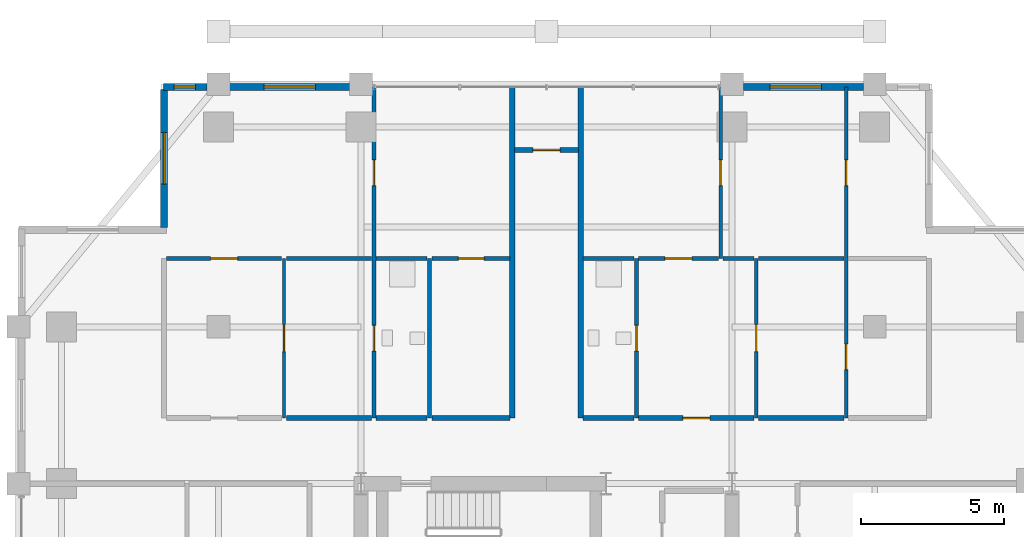
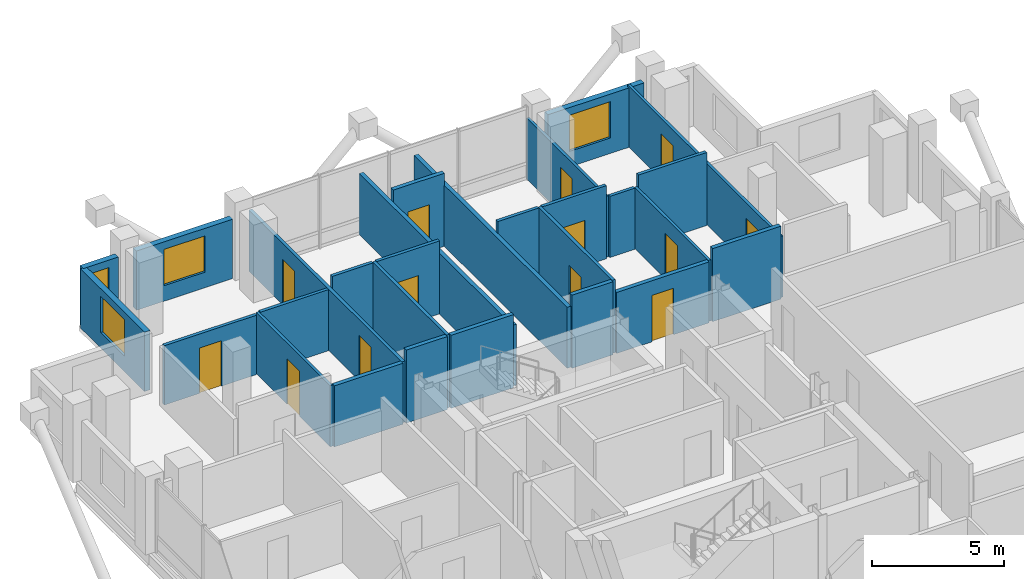
# One storey, part 21 of 24: 28 walls, 13 doors, 4 windows, 17 openings.
"""IFC4 building model written with IfcOpenShell, lengths in metres."""

from ifc_helpers import new_model, si_unit, direction, frame, frame_2d, origin, place, context, subcontext, project, spatial, rectangle, extrude, material, layer, layer_set, type_object, element, fill, save


model = new_model("IFC4")

# Units and contexts
model_context = context("Model", 3, precision=1e-05, world=origin(), true_north=direction((0.0, 1.0)))
body_context = subcontext(model_context, "Body", "Model", "MODEL_VIEW")
ifc_project = project(units=[si_unit("LENGTHUNIT", "METRE"), si_unit("AREAUNIT", "SQUARE_METRE"), si_unit("VOLUMEUNIT", "CUBIC_METRE"), si_unit("PLANEANGLEUNIT", "RADIAN"), si_unit("MASSUNIT", "GRAM", prefix="KILO")], contexts=[model_context])

# Site, building, storey
site_placement = place(None, origin())
site = spatial("IfcSite", under=ifc_project, at=site_placement, CompositionType="ELEMENT")
building_placement = place(site_placement, origin())
building = spatial("IfcBuilding", under=site, at=building_placement, Name="Barlavira Tower and Art Museum", CompositionType="ELEMENT")
storey_placement = place(building_placement, frame((0.0, 0.0, 183.60009765625)))
storey = spatial("IfcBuildingStorey", under=building, at=storey_placement, Name="L47", CompositionType="ELEMENT", Elevation=183.60009765625)

# Wall, opening, door
ifc_material_1 = material(Name="Gypsum acoustic stud partition", Category="gypsum")
ifc_layer_1 = layer(ifc_material_1, 0.1201171875, Name="Gypsum acoustic stud partition")
ifc_layer_set_1 = layer_set([ifc_layer_1], Name="Gypsum acoustic stud partition")
wall_type_1 = type_object("IfcWallType", Name="Apartment Internal Acoustic Partition 120", PredefinedType="PARTITIONING", material=ifc_layer_set_1)
wall_1_placement = place(storey_placement, frame((-9.199951171875, 9.800048828125, 0.0), z_axis=(0.0, 0.0, 1.0), x_axis=(0.0, 1.0, 0.0)))
wall_1 = element("IfcWall", 1, at=wall_1_placement, inside=storey, type_object=wall_type_1, Name="L47 Partition Wall 3", PredefinedType="PARTITIONING", context=body_context, shape_type="SweptSolid", body=[
    extrude(rectangle(XDim=5.599853515625, YDim=0.1201171875, at=frame_2d((2.7998046875, 0.0))), origin(), (0.0, 0.0, 1.0), 2.825927734375),
])
opening_1_placement = place(wall_1_placement, frame((2.324951171875, 0.0, 0.0)))
opening_1 = element("IfcOpeningElement", 2, at=opening_1_placement, cuts=wall_1, Name="Opening D-02", PredefinedType="OPENING", context=body_context, shape_type="SweptSolid", body=[
    extrude(rectangle(XDim=0.949951171875, YDim=2.10009765625, at=frame_2d((0.47509765625, 1.050048828125))), frame((0.0, 0.070068359375, 0.0), z_axis=(0.0, -1.0, 0.0), x_axis=(1.0, 0.0, 0.0)), (0.0, 0.0, 1.0), 0.14013671875),
])
ifc_material_2 = material(Name="Engineered coastal hardwood", Category="wood")
door_type_1 = type_object("IfcDoorType", Name="Living and Salon Glazed-Leaf Door 950x2100", OperationType="NOTDEFINED", PredefinedType="DOOR", material=ifc_material_2)
door_1_placement = place(opening_1_placement, origin())
door_1 = element("IfcDoor", 3, at=door_1_placement, inside=storey, type_object=door_type_1, Name="Apartment NW1 Kitchen Door", OperationType="SINGLE_SWING_RIGHT", OverallHeight=2.10009765625, OverallWidth=0.949951171875, PredefinedType="DOOR", context=body_context, shape_type="SweptSolid", body=[
    extrude(rectangle(XDim=0.949951171875, YDim=2.10009765625, at=frame_2d((0.47509765625, 1.050048828125))), frame((0.0, 0.02490234375, 0.0), z_axis=(0.0, -1.0, 0.0), x_axis=(1.0, 0.0, 0.0)), (0.0, 0.0, 1.0), 0.050048828125),
])
fill(opening_1, door_1)

wall_2_placement = place(storey_placement, frame((6.10009765625, 15.39990234375, 0.0), z_axis=(0.0, 0.0, 1.0), x_axis=(0.0, 1.0, 0.0)))
wall_2 = element("IfcWall", 4, at=wall_2_placement, inside=storey, type_object=wall_type_1, Name="L47 Partition Wall 19", PredefinedType="PARTITIONING", context=body_context, shape_type="SweptSolid", body=[
    extrude(rectangle(XDim=6.0, YDim=0.1201171875, at=frame_2d((3.0, 0.0))), origin(), (0.0, 0.0, 1.0), 2.825927734375),
])
opening_2_placement = place(wall_2_placement, frame((2.550048828125, 0.0, 0.0)))
opening_2 = element("IfcOpeningElement", 5, at=opening_2_placement, cuts=wall_2, Name="Opening D-01", PredefinedType="OPENING", context=body_context, shape_type="SweptSolid", body=[
    extrude(rectangle(XDim=0.89990234375, YDim=2.10009765625, at=frame_2d((0.449951171875, 1.050048828125))), frame((0.0, 0.070068359375, 0.0), z_axis=(0.0, -1.0, 0.0), x_axis=(1.0, 0.0, 0.0)), (0.0, 0.0, 1.0), 0.14013671875),
])
door_type_2 = type_object("IfcDoorType", Name="Internal Bedroom Timber Flush Door 900x2100", OperationType="NOTDEFINED", PredefinedType="DOOR", material=ifc_material_2)
door_2_placement = place(opening_2_placement, origin())
door_2 = element("IfcDoor", 6, at=door_2_placement, inside=storey, type_object=door_type_2, Name="Apartment NE1 Bedroom 1 Door", OperationType="SINGLE_SWING_RIGHT", OverallHeight=2.10009765625, OverallWidth=0.89990234375, PredefinedType="DOOR", context=body_context, shape_type="SweptSolid", body=[
    extrude(rectangle(XDim=0.89990234375, YDim=2.10009765625, at=frame_2d((0.449951171875, 1.050048828125))), frame((0.0, 0.02490234375, 0.0), z_axis=(0.0, -1.0, 0.0), x_axis=(1.0, 0.0, 0.0)), (0.0, 0.0, 1.0), 0.050048828125),
])
fill(opening_2, door_2)

wall_3_placement = place(storey_placement, frame((7.35009765625, 9.800048828125, 0.0), z_axis=(0.0, 0.0, 1.0), x_axis=(0.0, 1.0, 0.0)))
wall_3 = element("IfcWall", 7, at=wall_3_placement, inside=storey, type_object=wall_type_1, Name="L47 Partition Wall 21", PredefinedType="PARTITIONING", context=body_context, shape_type="SweptSolid", body=[
    extrude(rectangle(XDim=5.599853515625, YDim=0.1201171875, at=frame_2d((2.7998046875, 0.0))), origin(), (0.0, 0.0, 1.0), 2.825927734375),
])
opening_3_placement = place(wall_3_placement, frame((2.324951171875, 0.0, 0.0)))
opening_3 = element("IfcOpeningElement", 8, at=opening_3_placement, cuts=wall_3, Name="Opening D-02", PredefinedType="OPENING", context=body_context, shape_type="SweptSolid", body=[
    extrude(rectangle(XDim=0.949951171875, YDim=2.10009765625, at=frame_2d((0.47509765625, 1.050048828125))), frame((0.0, 0.070068359375, 0.0), z_axis=(0.0, -1.0, 0.0), x_axis=(1.0, 0.0, 0.0)), (0.0, 0.0, 1.0), 0.14013671875),
])
door_3_placement = place(opening_3_placement, origin())
door_3 = element("IfcDoor", 9, at=door_3_placement, inside=storey, type_object=door_type_1, Name="Apartment NE1 Kitchen Door", OperationType="SINGLE_SWING_LEFT", OverallHeight=2.10009765625, OverallWidth=0.949951171875, PredefinedType="DOOR", context=body_context, shape_type="SweptSolid", body=[
    extrude(rectangle(XDim=0.949951171875, YDim=2.10009765625, at=frame_2d((0.47509765625, 1.050048828125))), frame((0.0, 0.02490234375, 0.0), z_axis=(0.0, -1.0, 0.0), x_axis=(1.0, 0.0, 0.0)), (0.0, 0.0, 1.0), 0.050048828125),
])
fill(opening_3, door_3)

# Wall, openings, doors
wall_4_placement = place(storey_placement, frame((10.5, 9.800048828125, 0.0), z_axis=(0.0, 0.0, 1.0), x_axis=(0.0, 1.0, 0.0)))
wall_4 = element("IfcWall", 10, at=wall_4_placement, inside=storey, type_object=wall_type_1, Name="L47 Partition Wall 24", PredefinedType="PARTITIONING", context=body_context, shape_type="SweptSolid", body=[
    extrude(rectangle(XDim=11.599853515625, YDim=0.1201171875, at=frame_2d((5.7998046875, 0.0))), origin(), (0.0, 0.0, 1.0), 2.825927734375),
])
opening_4_placement = place(wall_4_placement, frame((1.694091796875, 0.0, 0.0)))
opening_4 = element("IfcOpeningElement", 11, at=opening_4_placement, cuts=wall_4, Name="Opening D-01", PredefinedType="OPENING", context=body_context, shape_type="SweptSolid", body=[
    extrude(rectangle(XDim=0.89990234375, YDim=2.10009765625, at=frame_2d((0.449951171875, 1.050048828125))), frame((0.0, 0.070068359375, 0.0), z_axis=(0.0, -1.0, 0.0), x_axis=(1.0, 0.0, 0.0)), (0.0, 0.0, 1.0), 0.14013671875),
])
opening_5_placement = place(wall_4_placement, frame((8.14990234375, 0.0, 0.0)))
opening_5 = element("IfcOpeningElement", 12, at=opening_5_placement, cuts=wall_4, Name="Opening D-01", PredefinedType="OPENING", context=body_context, shape_type="SweptSolid", body=[
    extrude(rectangle(XDim=0.89990234375, YDim=2.10009765625, at=frame_2d((0.449951171875, 1.050048828125))), frame((0.0, 0.070068359375, 0.0), z_axis=(0.0, -1.0, 0.0), x_axis=(1.0, 0.0, 0.0)), (0.0, 0.0, 1.0), 0.14013671875),
])
door_4_placement = place(opening_4_placement, origin())
door_4 = element("IfcDoor", 13, at=door_4_placement, inside=storey, type_object=door_type_2, Name="Apartment NE1 Walk-In Dressing Room Door", OperationType="SINGLE_SWING_RIGHT", OverallHeight=2.10009765625, OverallWidth=0.89990234375, PredefinedType="DOOR", context=body_context, shape_type="SweptSolid", body=[
    extrude(rectangle(XDim=0.89990234375, YDim=2.10009765625, at=frame_2d((0.449951171875, 1.050048828125))), frame((0.0, 0.02490234375, 0.0), z_axis=(0.0, -1.0, 0.0), x_axis=(1.0, 0.0, 0.0)), (0.0, 0.0, 1.0), 0.050048828125),
])
fill(opening_4, door_4)
door_5_placement = place(opening_5_placement, origin())
door_5 = element("IfcDoor", 14, at=door_5_placement, inside=storey, type_object=door_type_2, Name="Apartment NE1 Bedroom 2 Door", OperationType="SINGLE_SWING_LEFT", OverallHeight=2.10009765625, OverallWidth=0.89990234375, PredefinedType="DOOR", context=body_context, shape_type="SweptSolid", body=[
    extrude(rectangle(XDim=0.89990234375, YDim=2.10009765625, at=frame_2d((0.449951171875, 1.050048828125))), frame((0.0, 0.02490234375, 0.0), z_axis=(0.0, -1.0, 0.0), x_axis=(1.0, 0.0, 0.0)), (0.0, 0.0, 1.0), 0.050048828125),
])
fill(opening_5, door_5)

# Walls
ifc_layer_2 = layer(ifc_material_1, 0.179931640625, Name="Gypsum acoustic stud partition")
ifc_layer_set_2 = layer_set([ifc_layer_2], Name="Gypsum acoustic stud partition")
wall_type_2 = type_object("IfcWallType", Name="Inter-Tenancy Party Partition Wall 180", PredefinedType="PARTITIONING", material=ifc_layer_set_2)
for number, where, z_axis, x_axis, name in (
    (15, (-1.199951171875, 9.800048828125, 0.0), (0.0, 0.0, 1.0), (0.0, 1.0, 0.0), "L47 Partition Wall 12"),
    (16, (1.199951171875, 9.800048828125, 0.0), (0.0, 0.0, 1.0), (0.0, 1.0, 0.0), "L47 Partition Wall 14"),
):
    element("IfcWall", number, at=place(storey_placement, frame(where, z_axis=z_axis, x_axis=x_axis)), inside=storey, type_object=wall_type_2, Name=name, PredefinedType="PARTITIONING", context=body_context, shape_type="SweptSolid", body=[
        extrude(rectangle(XDim=11.599853515625, YDim=0.179931640625, at=frame_2d((5.7998046875, 0.0))), origin(), (0.0, 0.0, 1.0), 2.825927734375),
    ])
wall_5_placement = place(storey_placement, frame((-9.1201171875, 9.800048828125, 0.0), z_axis=(0.0, 0.0, 1.0), x_axis=(1.0, 0.0, 0.0)))
element("IfcWall", 17, at=wall_5_placement, inside=storey, type_object=wall_type_2, Name="L47 Partition Wall 59", PredefinedType="PARTITIONING", context=body_context, shape_type="SweptSolid", body=[
    extrude(rectangle(XDim=2.990234375, YDim=0.179931640625, at=frame_2d((1.4951171875, 0.0))), origin(), (0.0, 0.0, 1.0), 2.825927734375),
])
wall_6_placement = place(storey_placement, frame((-5.969970703125, 9.800048828125, 0.0), z_axis=(0.0, 0.0, 1.0), x_axis=(1.0, 0.0, 0.0)))
element("IfcWall", 18, at=wall_6_placement, inside=storey, type_object=wall_type_2, Name="L47 Partition Wall 60", PredefinedType="PARTITIONING", context=body_context, shape_type="SweptSolid", body=[
    extrude(rectangle(XDim=1.7900390625, YDim=0.179931640625, at=frame_2d((0.89501953125, 0.0))), origin(), (0.0, 0.0, 1.0), 3.3798828125),
])
wall_7_placement = place(storey_placement, frame((-4.02001953125, 9.800048828125, 0.0), z_axis=(0.0, 0.0, 1.0), x_axis=(1.0, 0.0, 0.0)))
element("IfcWall", 19, at=wall_7_placement, inside=storey, type_object=wall_type_2, Name="L47 Partition Wall 61", PredefinedType="PARTITIONING", context=body_context, shape_type="SweptSolid", body=[
    extrude(rectangle(XDim=2.739990234375, YDim=0.179931640625, at=frame_2d((1.3701171875, 0.0))), origin(), (0.0, 0.0, 1.0), 3.3798828125),
])
wall_8_placement = place(storey_placement, frame((1.280029296875, 9.800048828125, 0.0), z_axis=(0.0, 0.0, 1.0), x_axis=(1.0, 0.0, 0.0)))
element("IfcWall", 20, at=wall_8_placement, inside=storey, type_object=wall_type_2, Name="L47 Partition Wall 62", PredefinedType="PARTITIONING", context=body_context, shape_type="SweptSolid", body=[
    extrude(rectangle(XDim=1.7900390625, YDim=0.179931640625, at=frame_2d((0.89501953125, 0.0))), origin(), (0.0, 0.0, 1.0), 3.3798828125),
])

# Wall, opening, door
wall_9_placement = place(storey_placement, frame((3.22998046875, 9.800048828125, 0.0), z_axis=(0.0, 0.0, 1.0), x_axis=(1.0, 0.0, 0.0)))
wall_9 = element("IfcWall", 21, at=wall_9_placement, inside=storey, type_object=wall_type_2, Name="L47 Partition Wall 63", PredefinedType="PARTITIONING", context=body_context, shape_type="SweptSolid", body=[
    extrude(rectangle(XDim=4.0400390625, YDim=0.179931640625, at=frame_2d((2.02001953125, 0.0))), origin(), (0.0, 0.0, 1.0), 2.825927734375),
])
opening_6_placement = place(wall_9_placement, frame((1.544921875, 0.0, 0.0)))
opening_6 = element("IfcOpeningElement", 22, at=opening_6_placement, cuts=wall_9, Name="Opening FD-60", PredefinedType="OPENING", context=body_context, shape_type="SweptSolid", body=[
    extrude(rectangle(XDim=0.949951171875, YDim=2.14990234375, at=frame_2d((0.47509765625, 1.074951171875))), frame((0.0, 0.10009765625, 0.0), z_axis=(0.0, -1.0, 0.0), x_axis=(1.0, 0.0, 0.0)), (0.0, 0.0, 1.0), 0.199951171875),
])
ifc_material_3 = material(Name="Brushed stainless steel", Category="steel")
door_type_3 = type_object("IfcDoorType", Name="Apartment Entrance and Riser Fire Door 950x2150 FD60S", OperationType="NOTDEFINED", PredefinedType="DOOR", material=ifc_material_3)
door_6_placement = place(opening_6_placement, origin())
door_6 = element("IfcDoor", 23, at=door_6_placement, inside=storey, type_object=door_type_3, Name="Apartment Entrance Hall NE1 Door", OperationType="SINGLE_SWING_RIGHT", OverallHeight=2.14990234375, OverallWidth=0.949951171875, PredefinedType="DOOR", context=body_context, shape_type="SweptSolid", body=[
    extrude(rectangle(XDim=0.949951171875, YDim=2.14990234375, at=frame_2d((0.47509765625, 1.074951171875))), frame((0.0, 0.02490234375, 0.0), z_axis=(0.0, -1.0, 0.0), x_axis=(1.0, 0.0, 0.0)), (0.0, 0.0, 1.0), 0.050048828125),
])
fill(opening_6, door_6)

# Wall
wall_10_placement = place(storey_placement, frame((7.429931640625, 9.800048828125, 0.0), z_axis=(0.0, 0.0, 1.0), x_axis=(1.0, 0.0, 0.0)))
element("IfcWall", 24, at=wall_10_placement, inside=storey, type_object=wall_type_2, Name="L47 Partition Wall 64", PredefinedType="PARTITIONING", context=body_context, shape_type="SweptSolid", body=[
    extrude(rectangle(XDim=2.989990234375, YDim=0.179931640625, at=frame_2d((1.4951171875, 0.0))), origin(), (0.0, 0.0, 1.0), 3.3798828125),
])

# Wall, opening, door
wall_11_placement = place(storey_placement, frame((-1.1201171875, 19.199951171875, 0.0), z_axis=(0.0, 0.0, 1.0), x_axis=(1.0, 0.0, 0.0)))
wall_11 = element("IfcWall", 25, at=wall_11_placement, inside=storey, type_object=wall_type_2, Name="L47 Partition Wall 75", PredefinedType="PARTITIONING", context=body_context, shape_type="SweptSolid", body=[
    extrude(rectangle(XDim=2.240234375, YDim=0.179931640625, at=frame_2d((1.1201171875, 0.0))), origin(), (0.0, 0.0, 1.0), 3.3798828125),
])
opening_7_placement = place(wall_11_placement, frame((0.64501953125, 0.0, 0.0)))
opening_7 = element("IfcOpeningElement", 26, at=opening_7_placement, cuts=wall_11, Name="Opening FD-60", PredefinedType="OPENING", context=body_context, shape_type="SweptSolid", body=[
    extrude(rectangle(XDim=0.949951171875, YDim=2.14990234375, at=frame_2d((0.47509765625, 1.074951171875))), frame((0.0, 0.10009765625, 0.0), z_axis=(0.0, -1.0, 0.0), x_axis=(1.0, 0.0, 0.0)), (0.0, 0.0, 1.0), 0.199951171875),
])
door_7_placement = place(opening_7_placement, origin())
door_7 = element("IfcDoor", 27, at=door_7_placement, inside=storey, type_object=door_type_3, Name="L47 North Ocean Alcove Door", OperationType="SINGLE_SWING_RIGHT", OverallHeight=2.14990234375, OverallWidth=0.949951171875, PredefinedType="DOOR", context=body_context, shape_type="SweptSolid", body=[
    extrude(rectangle(XDim=0.949951171875, YDim=2.14990234375, at=frame_2d((0.47509765625, 1.074951171875))), frame((0.0, 0.02490234375, 0.0), z_axis=(0.0, -1.0, 0.0), x_axis=(1.0, 0.0, 0.0)), (0.0, 0.0, 1.0), 0.050048828125),
])
fill(opening_7, door_7)

# Wall, openings, doors
ifc_layer_3 = layer(ifc_material_1, 0.139892578125, Name="Gypsum acoustic stud partition")
ifc_layer_set_3 = layer_set([ifc_layer_3], Name="Gypsum acoustic stud partition")
wall_type_3 = type_object("IfcWallType", Name="Moisture-Resistant Bathroom Partition 140", PredefinedType="PARTITIONING", material=ifc_layer_set_3)
wall_12_placement = place(storey_placement, frame((-6.050048828125, 9.800048828125, 0.0), z_axis=(0.0, 0.0, 1.0), x_axis=(0.0, 1.0, 0.0)))
wall_12 = element("IfcWall", 28, at=wall_12_placement, inside=storey, type_object=wall_type_3, Name="L47 Partition Wall 7", PredefinedType="PARTITIONING", context=body_context, shape_type="SweptSolid", body=[
    extrude(rectangle(XDim=11.599853515625, YDim=0.139892578125, at=frame_2d((5.7998046875, 0.0))), origin(), (0.0, 0.0, 1.0), 2.825927734375),
])
opening_8_placement = place(wall_12_placement, frame((2.35009765625, 0.0, 0.0)))
opening_8 = element("IfcOpeningElement", 29, at=opening_8_placement, cuts=wall_12, Name="Opening D-WC", PredefinedType="OPENING", context=body_context, shape_type="SweptSolid", body=[
    extrude(rectangle(XDim=0.89990234375, YDim=2.10009765625, at=frame_2d((0.449951171875, 1.050048828125))), frame((0.0, 0.080078125, 0.0), z_axis=(0.0, -1.0, 0.0), x_axis=(1.0, 0.0, 0.0)), (0.0, 0.0, 1.0), 0.159912109375),
])
opening_9_placement = place(wall_12_placement, frame((8.14990234375, 0.0, 0.0)))
opening_9 = element("IfcOpeningElement", 30, at=opening_9_placement, cuts=wall_12, Name="Opening D-01", PredefinedType="OPENING", context=body_context, shape_type="SweptSolid", body=[
    extrude(rectangle(XDim=0.89990234375, YDim=2.10009765625, at=frame_2d((0.449951171875, 1.050048828125))), frame((0.0, 0.080078125, 0.0), z_axis=(0.0, -1.0, 0.0), x_axis=(1.0, 0.0, 0.0)), (0.0, 0.0, 1.0), 0.159912109375),
])
door_type_4 = type_object("IfcDoorType", Name="Accessible Bathroom Flush Door 900x2100", OperationType="NOTDEFINED", PredefinedType="DOOR", material=ifc_material_2)
door_8_placement = place(opening_8_placement, origin())
door_8 = element("IfcDoor", 31, at=door_8_placement, inside=storey, type_object=door_type_4, Name="Apartment NW1 Hall Bathroom Door", OperationType="SINGLE_SWING_LEFT", OverallHeight=2.10009765625, OverallWidth=0.89990234375, PredefinedType="DOOR", context=body_context, shape_type="SweptSolid", body=[
    extrude(rectangle(XDim=0.89990234375, YDim=2.10009765625, at=frame_2d((0.449951171875, 1.050048828125))), frame((0.0, 0.02490234375, 0.0), z_axis=(0.0, -1.0, 0.0), x_axis=(1.0, 0.0, 0.0)), (0.0, 0.0, 1.0), 0.050048828125),
])
fill(opening_8, door_8)
door_9_placement = place(opening_9_placement, origin())
door_9 = element("IfcDoor", 32, at=door_9_placement, inside=storey, type_object=door_type_2, Name="Apartment NW1 Bedroom 1 Door", OperationType="SINGLE_SWING_RIGHT", OverallHeight=2.10009765625, OverallWidth=0.89990234375, PredefinedType="DOOR", context=body_context, shape_type="SweptSolid", body=[
    extrude(rectangle(XDim=0.89990234375, YDim=2.10009765625, at=frame_2d((0.449951171875, 1.050048828125))), frame((0.0, 0.02490234375, 0.0), z_axis=(0.0, -1.0, 0.0), x_axis=(1.0, 0.0, 0.0)), (0.0, 0.0, 1.0), 0.050048828125),
])
fill(opening_9, door_9)

# Wall
wall_13_placement = place(storey_placement, frame((-4.10009765625, 9.800048828125, 0.0), z_axis=(0.0, 0.0, 1.0), x_axis=(0.0, 1.0, 0.0)))
element("IfcWall", 33, at=wall_13_placement, inside=storey, type_object=wall_type_3, Name="L47 Partition Wall 9", PredefinedType="PARTITIONING", context=body_context, shape_type="SweptSolid", body=[
    extrude(rectangle(XDim=5.599853515625, YDim=0.139892578125, at=frame_2d((2.7998046875, 0.0))), origin(), (0.0, 0.0, 1.0), 3.3798828125),
])

# Wall, opening, door
wall_14_placement = place(storey_placement, frame((3.14990234375, 9.800048828125, 0.0), z_axis=(0.0, 0.0, 1.0), x_axis=(0.0, 1.0, 0.0)))
wall_14 = element("IfcWall", 34, at=wall_14_placement, inside=storey, type_object=wall_type_3, Name="L47 Partition Wall 16", PredefinedType="PARTITIONING", context=body_context, shape_type="SweptSolid", body=[
    extrude(rectangle(XDim=5.599853515625, YDim=0.139892578125, at=frame_2d((2.7998046875, 0.0))), origin(), (0.0, 0.0, 1.0), 3.3798828125),
])
opening_10_placement = place(wall_14_placement, frame((2.35009765625, 0.0, 0.0)))
opening_10 = element("IfcOpeningElement", 35, at=opening_10_placement, cuts=wall_14, Name="Opening D-WC", PredefinedType="OPENING", context=body_context, shape_type="SweptSolid", body=[
    extrude(rectangle(XDim=0.89990234375, YDim=2.10009765625, at=frame_2d((0.449951171875, 1.050048828125))), frame((0.0, 0.080078125, 0.0), z_axis=(0.0, -1.0, 0.0), x_axis=(1.0, 0.0, 0.0)), (0.0, 0.0, 1.0), 0.159912109375),
])
door_10_placement = place(opening_10_placement, origin())
door_10 = element("IfcDoor", 36, at=door_10_placement, inside=storey, type_object=door_type_4, Name="Apartment NE1 Hall Bathroom Door", OperationType="SINGLE_SWING_LEFT", OverallHeight=2.10009765625, OverallWidth=0.89990234375, PredefinedType="DOOR", context=body_context, shape_type="SweptSolid", body=[
    extrude(rectangle(XDim=0.89990234375, YDim=2.10009765625, at=frame_2d((0.449951171875, 1.050048828125))), frame((0.0, 0.02490234375, 0.0), z_axis=(0.0, -1.0, 0.0), x_axis=(1.0, 0.0, 0.0)), (0.0, 0.0, 1.0), 0.050048828125),
])
fill(opening_10, door_10)

wall_15_placement = place(storey_placement, frame((-13.320068359375, 15.39990234375, 0.0), z_axis=(0.0, 0.0, 1.0), x_axis=(1.0, 0.0, 0.0)))
wall_15 = element("IfcWall", 37, at=wall_15_placement, inside=storey, type_object=wall_type_3, Name="L47 Partition Wall 66", PredefinedType="PARTITIONING", context=body_context, shape_type="SweptSolid", body=[
    extrude(rectangle(XDim=4.0400390625, YDim=0.139892578125, at=frame_2d((2.02001953125, 0.0))), origin(), (0.0, 0.0, 1.0), 2.747802734375),
])
opening_11_placement = place(wall_15_placement, frame((1.544921875, 0.0, 0.0)))
opening_11 = element("IfcOpeningElement", 38, at=opening_11_placement, cuts=wall_15, Name="Opening D-02", PredefinedType="OPENING", context=body_context, shape_type="SweptSolid", body=[
    extrude(rectangle(XDim=0.949951171875, YDim=2.10009765625, at=frame_2d((0.47509765625, 1.050048828125))), frame((0.0, 0.080078125, 0.0), z_axis=(0.0, -1.0, 0.0), x_axis=(1.0, 0.0, 0.0)), (0.0, 0.0, 1.0), 0.159912109375),
])
door_11_placement = place(opening_11_placement, origin())
door_11 = element("IfcDoor", 39, at=door_11_placement, inside=storey, type_object=door_type_1, Name="Apartment NW1 Living Lounge Door", OperationType="SINGLE_SWING_LEFT", OverallHeight=2.10009765625, OverallWidth=0.949951171875, PredefinedType="DOOR", context=body_context, shape_type="SweptSolid", body=[
    extrude(rectangle(XDim=0.949951171875, YDim=2.10009765625, at=frame_2d((0.47509765625, 1.050048828125))), frame((0.0, 0.02490234375, 0.0), z_axis=(0.0, -1.0, 0.0), x_axis=(1.0, 0.0, 0.0)), (0.0, 0.0, 1.0), 0.050048828125),
])
fill(opening_11, door_11)

# Walls
wall_16_placement = place(storey_placement, frame((-9.1201171875, 15.39990234375, 0.0), z_axis=(0.0, 0.0, 1.0), x_axis=(1.0, 0.0, 0.0)))
element("IfcWall", 40, at=wall_16_placement, inside=storey, type_object=wall_type_3, Name="L47 Partition Wall 67", PredefinedType="PARTITIONING", context=body_context, shape_type="SweptSolid", body=[
    extrude(rectangle(XDim=2.990234375, YDim=0.139892578125, at=frame_2d((1.4951171875, 0.0))), origin(), (0.0, 0.0, 1.0), 2.825927734375),
])
wall_17_placement = place(storey_placement, frame((-5.969970703125, 15.39990234375, 0.0), z_axis=(0.0, 0.0, 1.0), x_axis=(1.0, 0.0, 0.0)))
element("IfcWall", 41, at=wall_17_placement, inside=storey, type_object=wall_type_3, Name="L47 Partition Wall 68", PredefinedType="PARTITIONING", context=body_context, shape_type="SweptSolid", body=[
    extrude(rectangle(XDim=1.7900390625, YDim=0.139892578125, at=frame_2d((0.89501953125, 0.0))), origin(), (0.0, 0.0, 1.0), 3.3798828125),
])

# Wall, opening, door
wall_18_placement = place(storey_placement, frame((-4.02001953125, 15.39990234375, 0.0), z_axis=(0.0, 0.0, 1.0), x_axis=(1.0, 0.0, 0.0)))
wall_18 = element("IfcWall", 42, at=wall_18_placement, inside=storey, type_object=wall_type_3, Name="L47 Partition Wall 69", PredefinedType="PARTITIONING", context=body_context, shape_type="SweptSolid", body=[
    extrude(rectangle(XDim=2.739990234375, YDim=0.139892578125, at=frame_2d((1.3701171875, 0.0))), origin(), (0.0, 0.0, 1.0), 3.3798828125),
])
opening_12_placement = place(wall_18_placement, frame((0.929931640625, 0.0, 0.0)))
opening_12 = element("IfcOpeningElement", 43, at=opening_12_placement, cuts=wall_18, Name="Opening D-01", PredefinedType="OPENING", context=body_context, shape_type="SweptSolid", body=[
    extrude(rectangle(XDim=0.89990234375, YDim=2.10009765625, at=frame_2d((0.449951171875, 1.050048828125))), frame((0.0, 0.080078125, 0.0), z_axis=(0.0, -1.0, 0.0), x_axis=(1.0, 0.0, 0.0)), (0.0, 0.0, 1.0), 0.159912109375),
])
door_12_placement = place(opening_12_placement, origin())
door_12 = element("IfcDoor", 44, at=door_12_placement, inside=storey, type_object=door_type_2, Name="Apartment NW1 Walk-In Dressing Room Door", OperationType="SINGLE_SWING_RIGHT", OverallHeight=2.10009765625, OverallWidth=0.89990234375, PredefinedType="DOOR", context=body_context, shape_type="SweptSolid", body=[
    extrude(rectangle(XDim=0.89990234375, YDim=2.10009765625, at=frame_2d((0.449951171875, 1.050048828125))), frame((0.0, 0.02490234375, 0.0), z_axis=(0.0, -1.0, 0.0), x_axis=(1.0, 0.0, 0.0)), (0.0, 0.0, 1.0), 0.050048828125),
])
fill(opening_12, door_12)

# Wall
wall_19_placement = place(storey_placement, frame((1.280029296875, 15.39990234375, 0.0), z_axis=(0.0, 0.0, 1.0), x_axis=(1.0, 0.0, 0.0)))
element("IfcWall", 45, at=wall_19_placement, inside=storey, type_object=wall_type_3, Name="L47 Partition Wall 70", PredefinedType="PARTITIONING", context=body_context, shape_type="SweptSolid", body=[
    extrude(rectangle(XDim=1.7900390625, YDim=0.139892578125, at=frame_2d((0.89501953125, 0.0))), origin(), (0.0, 0.0, 1.0), 3.3798828125),
])

# Wall, opening, door
wall_20_placement = place(storey_placement, frame((3.22998046875, 15.39990234375, 0.0), z_axis=(0.0, 0.0, 1.0), x_axis=(1.0, 0.0, 0.0)))
wall_20 = element("IfcWall", 46, at=wall_20_placement, inside=storey, type_object=wall_type_3, Name="L47 Partition Wall 71", PredefinedType="PARTITIONING", context=body_context, shape_type="SweptSolid", body=[
    extrude(rectangle(XDim=2.7900390625, YDim=0.139892578125, at=frame_2d((1.39501953125, 0.0))), origin(), (0.0, 0.0, 1.0), 3.3798828125),
])
opening_13_placement = place(wall_20_placement, frame((0.9150390625, 0.0, 0.0)))
opening_13 = element("IfcOpeningElement", 47, at=opening_13_placement, cuts=wall_20, Name="Opening D-02", PredefinedType="OPENING", context=body_context, shape_type="SweptSolid", body=[
    extrude(rectangle(XDim=0.949951171875, YDim=2.10009765625, at=frame_2d((0.47509765625, 1.050048828125))), frame((0.0, 0.080078125, 0.0), z_axis=(0.0, -1.0, 0.0), x_axis=(1.0, 0.0, 0.0)), (0.0, 0.0, 1.0), 0.159912109375),
])
door_13_placement = place(opening_13_placement, origin())
door_13 = element("IfcDoor", 48, at=door_13_placement, inside=storey, type_object=door_type_1, Name="Apartment NE1 Living Lounge Door", OperationType="SINGLE_SWING_LEFT", OverallHeight=2.10009765625, OverallWidth=0.949951171875, PredefinedType="DOOR", context=body_context, shape_type="SweptSolid", body=[
    extrude(rectangle(XDim=0.949951171875, YDim=2.10009765625, at=frame_2d((0.47509765625, 1.050048828125))), frame((0.0, 0.02490234375, 0.0), z_axis=(0.0, -1.0, 0.0), x_axis=(1.0, 0.0, 0.0)), (0.0, 0.0, 1.0), 0.050048828125),
])
fill(opening_13, door_13)

# Walls
wall_21_placement = place(storey_placement, frame((6.179931640625, 15.39990234375, 0.0), z_axis=(0.0, 0.0, 1.0), x_axis=(1.0, 0.0, 0.0)))
element("IfcWall", 49, at=wall_21_placement, inside=storey, type_object=wall_type_3, Name="L47 Partition Wall 72", PredefinedType="PARTITIONING", context=body_context, shape_type="SweptSolid", body=[
    extrude(rectangle(XDim=1.090087890625, YDim=0.139892578125, at=frame_2d((0.544921875, 0.0))), origin(), (0.0, 0.0, 1.0), 2.825927734375),
])
wall_22_placement = place(storey_placement, frame((7.429931640625, 15.39990234375, 0.0), z_axis=(0.0, 0.0, 1.0), x_axis=(1.0, 0.0, 0.0)))
element("IfcWall", 50, at=wall_22_placement, inside=storey, type_object=wall_type_3, Name="L47 Partition Wall 73", PredefinedType="PARTITIONING", context=body_context, shape_type="SweptSolid", body=[
    extrude(rectangle(XDim=2.989990234375, YDim=0.139892578125, at=frame_2d((1.4951171875, 0.0))), origin(), (0.0, 0.0, 1.0), 3.3798828125),
])

# Wall, opening, window
ifc_material_4 = material(Name="Precast concrete C40", Category="concrete")
ifc_layer_4 = layer(ifc_material_4, 0.25, Name="Precast concrete C40")
ifc_layer_set_4 = layer_set([ifc_layer_4], Name="Precast concrete C40")
wall_type_4 = type_object("IfcWallType", Name="Notched Corner Spandrel Wall 250 Precast Concrete C40", PredefinedType="SOLIDWALL", material=ifc_layer_set_4)
wall_23_placement = place(storey_placement, frame((11.10498046875, 21.39990234375, 0.0), z_axis=(0.0, 0.0, 1.0), x_axis=(-1.0, 0.0, 0.0)))
wall_23 = element("IfcWall", 51, at=wall_23_placement, inside=storey, type_object=wall_type_4, Name="L47 Coastal Facade Pier Wall CW3-L47-N-2", PredefinedType="SOLIDWALL", context=body_context, shape_type="SweptSolid", body=[
    extrude(rectangle(XDim=4.2099609375, YDim=0.25, at=frame_2d((2.10498046875, 0.0))), origin(), (0.0, 0.0, 1.0), 2.747802734375),
])
opening_14_placement = place(wall_23_placement, frame((1.47509765625, 0.0, 0.719970703125)))
opening_14 = element("IfcOpeningElement", 52, at=opening_14_placement, cuts=wall_23, Name="Opening WN-01", PredefinedType="OPENING", context=body_context, shape_type="SweptSolid", body=[
    extrude(rectangle(XDim=1.800048828125, YDim=1.679931640625, at=frame_2d((0.89990234375, 0.83984375))), frame((0.0, 0.135009765625, 0.0), z_axis=(0.0, -1.0, 0.0), x_axis=(1.0, 0.0, 0.0)), (0.0, 0.0, 1.0), 0.27001953125),
])
ifc_material_5 = material(Name="Low-iron coastal laminated glass", Category="glass")
window_type_1 = type_object("IfcWindowType", Name="Recessed Notch Corner Punch Window 1800x1680", PartitioningType="SINGLE_PANEL", PredefinedType="WINDOW", material=ifc_material_5)
window_1_placement = place(opening_14_placement, origin())
window_1 = element("IfcWindow", 53, at=window_1_placement, inside=storey, type_object=window_type_1, Name="L47 Punched Facade Window EWP-CW3-L47-N-2-1", OverallHeight=1.679931640625, OverallWidth=1.800048828125, PartitioningType="SINGLE_PANEL", PredefinedType="WINDOW", context=body_context, shape_type="SweptSolid", body=[
    extrude(rectangle(XDim=1.800048828125, YDim=1.679931640625, at=frame_2d((0.89990234375, 0.83984375))), frame((0.0, 0.030029296875, 0.0), z_axis=(0.0, -1.0, 0.0), x_axis=(1.0, 0.0, 0.0)), (0.0, 0.0, 1.0), 0.06005859375),
])
fill(opening_14, window_1)

wall_24_placement = place(storey_placement, frame((-6.89501953125, 21.39990234375, 0.0), z_axis=(0.0, 0.0, 1.0), x_axis=(-1.0, 0.0, 0.0)))
wall_24 = element("IfcWall", 54, at=wall_24_placement, inside=storey, type_object=wall_type_4, Name="L47 Coastal Facade Pier Wall CW3-L47-N-4", PredefinedType="SOLIDWALL", context=body_context, shape_type="SweptSolid", body=[
    extrude(rectangle(XDim=4.2099609375, YDim=0.25, at=frame_2d((2.10498046875, 0.0))), origin(), (0.0, 0.0, 1.0), 2.747802734375),
])
opening_15_placement = place(wall_24_placement, frame((1.205078125, 0.0, 0.719970703125)))
opening_15 = element("IfcOpeningElement", 55, at=opening_15_placement, cuts=wall_24, Name="Opening WN-01", PredefinedType="OPENING", context=body_context, shape_type="SweptSolid", body=[
    extrude(rectangle(XDim=1.800048828125, YDim=1.679931640625, at=frame_2d((0.89990234375, 0.83984375))), frame((0.0, 0.135009765625, 0.0), z_axis=(0.0, -1.0, 0.0), x_axis=(1.0, 0.0, 0.0)), (0.0, 0.0, 1.0), 0.27001953125),
])
window_2_placement = place(opening_15_placement, origin())
window_2 = element("IfcWindow", 56, at=window_2_placement, inside=storey, type_object=window_type_1, Name="L47 Punched Facade Window EWP-CW3-L47-N-4-1", OverallHeight=1.679931640625, OverallWidth=1.800048828125, PartitioningType="SINGLE_PANEL", PredefinedType="WINDOW", context=body_context, shape_type="SweptSolid", body=[
    extrude(rectangle(XDim=1.800048828125, YDim=1.679931640625, at=frame_2d((0.89990234375, 0.83984375))), frame((0.0, 0.030029296875, 0.0), z_axis=(0.0, -1.0, 0.0), x_axis=(1.0, 0.0, 0.0)), (0.0, 0.0, 1.0), 0.06005859375),
])
fill(opening_15, window_2)

wall_25_placement = place(storey_placement, frame((-11.89501953125, 21.39990234375, 0.0), z_axis=(0.0, 0.0, 1.0), x_axis=(-1.0, 0.0, 0.0)))
wall_25 = element("IfcWall", 57, at=wall_25_placement, inside=storey, type_object=wall_type_4, Name="L47 Coastal Facade Pier Wall CW3-L47-N-5", PredefinedType="SOLIDWALL", context=body_context, shape_type="SweptSolid", body=[
    extrude(rectangle(XDim=1.530029296875, YDim=0.25, at=frame_2d((0.76513671875, 0.0))), origin(), (0.0, 0.0, 1.0), 2.747802734375),
])
opening_16_placement = place(wall_25_placement, frame((0.407958984375, 0.0, 0.719970703125)))
opening_16 = element("IfcOpeningElement", 58, at=opening_16_placement, cuts=wall_25, Name="Opening WN-06", PredefinedType="OPENING", context=body_context, shape_type="SweptSolid", body=[
    extrude(rectangle(XDim=0.760009765625, YDim=1.679931640625, at=frame_2d((0.3798828125, 0.83984375))), frame((0.0, 0.135009765625, 0.0), z_axis=(0.0, -1.0, 0.0), x_axis=(1.0, 0.0, 0.0)), (0.0, 0.0, 1.0), 0.27001953125),
])
window_type_2 = type_object("IfcWindowType", Name="Recessed Narrow Pier Window 760x1680", PartitioningType="SINGLE_PANEL", PredefinedType="WINDOW", material=ifc_material_5)
window_3_placement = place(opening_16_placement, origin())
window_3 = element("IfcWindow", 59, at=window_3_placement, inside=storey, type_object=window_type_2, Name="L47 Punched Facade Window EWP-CW3-L47-N-5-1", OverallHeight=1.679931640625, OverallWidth=0.760009765625, PartitioningType="SINGLE_PANEL", PredefinedType="WINDOW", context=body_context, shape_type="SweptSolid", body=[
    extrude(rectangle(XDim=0.760009765625, YDim=1.679931640625, at=frame_2d((0.3798828125, 0.83984375))), frame((0.0, 0.030029296875, 0.0), z_axis=(0.0, -1.0, 0.0), x_axis=(1.0, 0.0, 0.0)), (0.0, 0.0, 1.0), 0.06005859375),
])
fill(opening_16, window_3)

wall_26_placement = place(storey_placement, frame((-13.39990234375, 21.320068359375, 0.0), z_axis=(0.0, 0.0, 1.0), x_axis=(0.0, -1.0, 0.0)))
wall_26 = element("IfcWall", 60, at=wall_26_placement, inside=storey, type_object=wall_type_4, Name="L47 Notch Corner Wall NW1", PredefinedType="SOLIDWALL", context=body_context, shape_type="SweptSolid", body=[
    extrude(rectangle(XDim=4.840087890625, YDim=0.25, at=frame_2d((2.419921875, 0.0))), origin(), (0.0, 0.0, 1.0), 2.747802734375),
])
opening_17_placement = place(wall_26_placement, frame((1.52001953125, 0.0, 0.719970703125)))
opening_17 = element("IfcOpeningElement", 61, at=opening_17_placement, cuts=wall_26, Name="Opening WN-01", PredefinedType="OPENING", context=body_context, shape_type="SweptSolid", body=[
    extrude(rectangle(XDim=1.800048828125, YDim=1.679931640625, at=frame_2d((0.89990234375, 0.83984375))), frame((0.0, 0.135009765625, 0.0), z_axis=(0.0, -1.0, 0.0), x_axis=(1.0, 0.0, 0.0)), (0.0, 0.0, 1.0), 0.27001953125),
])
window_4_placement = place(opening_17_placement, origin())
window_4 = element("IfcWindow", 62, at=window_4_placement, inside=storey, type_object=window_type_1, Name="L47 Punched Facade Window EW-NTC-L47-NW1-1", OverallHeight=1.679931640625, OverallWidth=1.800048828125, PartitioningType="SINGLE_PANEL", PredefinedType="WINDOW", context=body_context, shape_type="SweptSolid", body=[
    extrude(rectangle(XDim=1.800048828125, YDim=1.679931640625, at=frame_2d((0.89990234375, 0.83984375))), frame((0.0, 0.030029296875, 0.0), z_axis=(0.0, -1.0, 0.0), x_axis=(1.0, 0.0, 0.0)), (0.0, 0.0, 1.0), 0.06005859375),
])
fill(opening_17, window_4)

save(model, "model.ifc")
